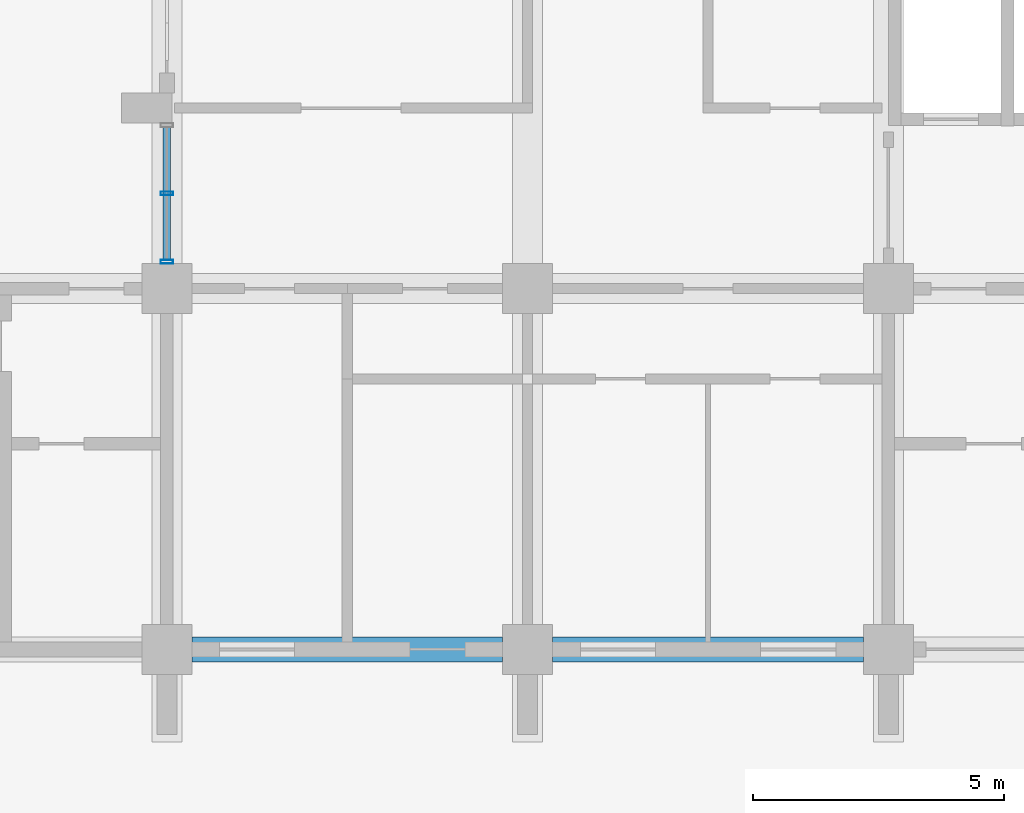
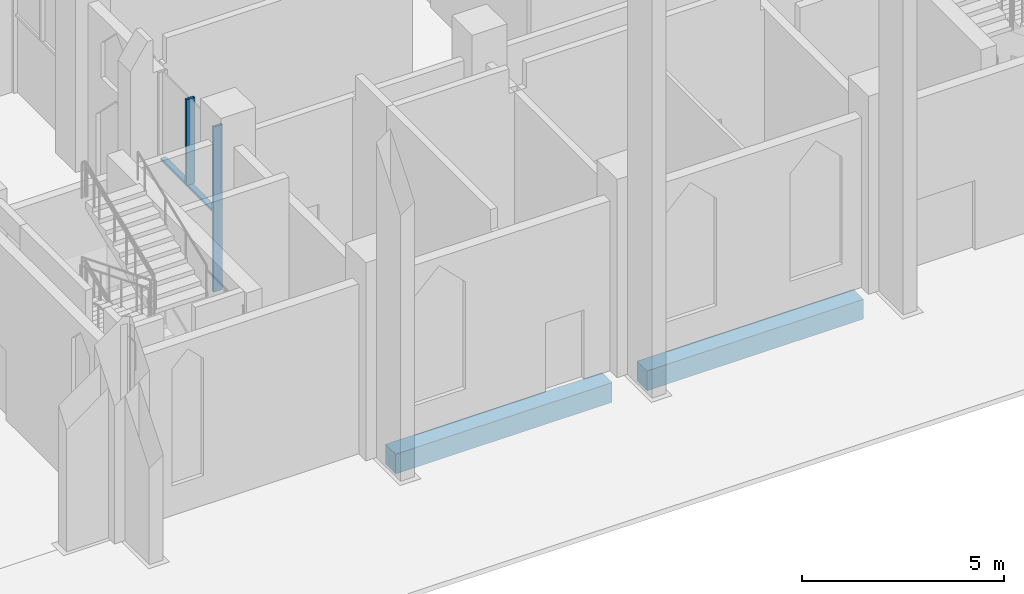
# One storey, part 6 of 50: 3 members, 2 beams, 1 element without a shape of its own.
"""IFC4 building model written with IfcOpenShell, lengths in metres."""

from ifc_helpers import new_model, si_unit, direction, frame, origin, origin_2d, place, context, subcontext, project, spatial, rectangle, hollow_rectangle, extrude, material, material_profile, profile_set, type_object, element, aggregate, save


model = new_model("IFC4")

# Units and contexts
model_context = context("Model", 3, precision=1e-05, world=origin(), true_north=direction((0.0, 1.0)))
body_context = subcontext(model_context, "Body", "Model", "MODEL_VIEW")
ifc_project = project(units=[si_unit("LENGTHUNIT", "METRE"), si_unit("AREAUNIT", "SQUARE_METRE"), si_unit("VOLUMEUNIT", "CUBIC_METRE"), si_unit("PLANEANGLEUNIT", "RADIAN"), si_unit("MASSUNIT", "GRAM", prefix="KILO")], contexts=[model_context])

# Site, building, storey
site_placement = place(None, origin())
site = spatial("IfcSite", under=ifc_project, at=site_placement, CompositionType="ELEMENT")
building_placement = place(site_placement, origin())
building = spatial("IfcBuilding", under=site, at=building_placement, Name="Silangan Lancet Faculty of Sciences", CompositionType="ELEMENT")
storey_placement = place(building_placement, origin())
storey = spatial("IfcBuildingStorey", under=building, at=storey_placement, Name="L00", CompositionType="ELEMENT", Elevation=0.0)

# Beams
ifc_material_1 = material(Name="Concrete C40/50", Category="concrete")
ifc_material_profile_1 = material_profile(ifc_material_1, rectangle(XDim=0.5, YDim=0.60009765625, at=origin_2d()), Name="RC 500x600")
ifc_profile_set_1 = profile_set([ifc_material_profile_1], Name="Concrete C40/50")
beam_type = type_object("IfcBeamType", Name="BEAM RC 500x600", PredefinedType="BEAM", material=ifc_profile_set_1)
beam_1_placement = place(storey_placement, frame((7.699951171875, 0.0, -0.60009765625), z_axis=(1.0, 0.0, 0.0), x_axis=(0.0, 1.0, 0.0)))
element("IfcBeam", 1, at=beam_1_placement, inside=storey, type_object=beam_type, Name="BM-L00-2A-3A", PredefinedType="BEAM", context=body_context, shape_type="SweptSolid", body=[
    extrude(rectangle(XDim=0.5, YDim=0.60009765625, at=origin_2d()), origin(), (0.0, 0.0, 1.0), 6.199951171875),
])
beam_2_placement = place(storey_placement, frame((14.89990234375, 0.0, -0.60009765625), z_axis=(1.0, 0.0, 0.0), x_axis=(0.0, 1.0, 0.0)))
element("IfcBeam", 2, at=beam_2_placement, inside=storey, type_object=beam_type, Name="BM-L00-3A-4A", PredefinedType="BEAM", context=body_context, shape_type="SweptSolid", body=[
    extrude(rectangle(XDim=0.5, YDim=0.60009765625, at=origin_2d()), origin(), (0.0, 0.0, 1.0), 6.2001953125),
])

# Curtain wall, members
ifc_material_2 = material(Name="Aluminium framed curtain wall with insulated glass", Category="aluminium")
curtain_wall_type = type_object("IfcCurtainWallType", Name="CW4 Arcade shop front glazing", PredefinedType="NOTDEFINED", material=ifc_material_2)
curtain_wall_placement = place(storey_placement, origin())
curtain_wall = element("IfcCurtainWall", 3, at=curtain_wall_placement, inside=storey, type_object=curtain_wall_type, Name="CW4 Shop front south L00 bay 1", PredefinedType="NOTDEFINED")
ifc_material_3 = material(Name="Aluminium 6063-T6 extrusion", Category="aluminium")
ifc_material_profile_2 = material_profile(ifc_material_3, hollow_rectangle(XDim=0.074951171875, YDim=0.25, WallThickness=0.006103515625, at=origin_2d()), Name="AL BOX 75x250x6")
ifc_profile_set_2 = profile_set([ifc_material_profile_2], Name="Aluminium 6063-T6 extrusion")
member_type_1 = type_object("IfcMemberType", Name="CM3 Mullion 75x250", PredefinedType="MULLION", material=ifc_profile_set_2)
member_1_placement = place(storey_placement, frame((7.199951171875, 7.737548828125, 0.0), z_axis=(0.0, 0.0, 1.0), x_axis=(0.0, 1.0, 0.0)))
member_1 = element("IfcMember", 4, at=member_1_placement, type_object=member_type_1, Name="CW4 Shop front south L00 bay 1 mullion 1", PredefinedType="MULLION", context=body_context, shape_type="SweptSolid", body=[
    extrude(hollow_rectangle(XDim=0.074951171875, YDim=0.25, WallThickness=0.006103515625, at=origin_2d()), origin(), (0.0, 0.0, 1.0), 5.0),
])
member_2_placement = place(storey_placement, frame((7.199951171875, 9.10009765625, 2.39990234375), z_axis=(0.0, 0.0, 1.0), x_axis=(0.0, 1.0, 0.0)))
member_2 = element("IfcMember", 5, at=member_2_placement, type_object=member_type_1, Name="CW4 Shop front south L00 bay 1 mullion 3", PredefinedType="MULLION", context=body_context, shape_type="SweptSolid", body=[
    extrude(hollow_rectangle(XDim=0.074951171875, YDim=0.25, WallThickness=0.006103515625, at=origin_2d()), origin(), (0.0, 0.0, 1.0), 2.60009765625),
])
ifc_material_4 = material(Name="Aluminium 6063-T6 extrusion", Category="aluminium")
ifc_material_profile_3 = material_profile(ifc_material_4, hollow_rectangle(XDim=0.14990234375, YDim=0.074951171875, WallThickness=0.0029296875, at=origin_2d()), Name="AL BOX 150x75x3")
ifc_profile_set_3 = profile_set([ifc_material_profile_3], Name="Aluminium 6063-T6 extrusion")
member_type_2 = type_object("IfcMemberType", Name="CT4 Transom 150x75", PredefinedType="USERDEFINED", material=ifc_profile_set_3)
member_3_placement = place(storey_placement, frame((7.199951171875, 7.77490234375, 2.362548828125), z_axis=(0.0, 1.0, 0.0), x_axis=(-1.0, 0.0, 0.0)))
member_3 = element("IfcMember", 6, at=member_3_placement, type_object=member_type_2, Name="CW4 Shop front south L00 bay 1 transom 1", ObjectType="TRANSOM", PredefinedType="USERDEFINED", context=body_context, shape_type="SweptSolid", body=[
    extrude(hollow_rectangle(XDim=0.14990234375, YDim=0.074951171875, WallThickness=0.0029296875, at=origin_2d()), origin(), (0.0, 0.0, 1.0), 2.650146484375),
])
aggregate(curtain_wall, [member_1, member_2, member_3])

save(model, "model.ifc")
